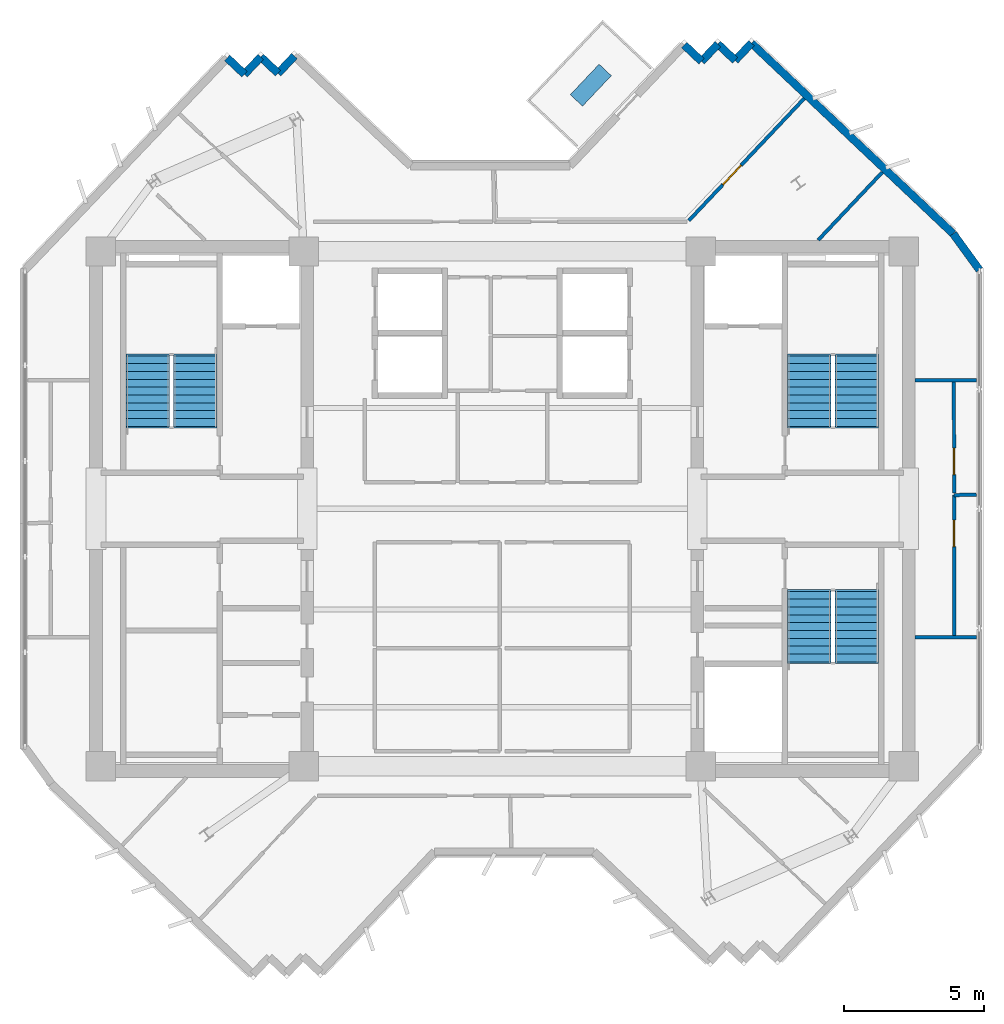
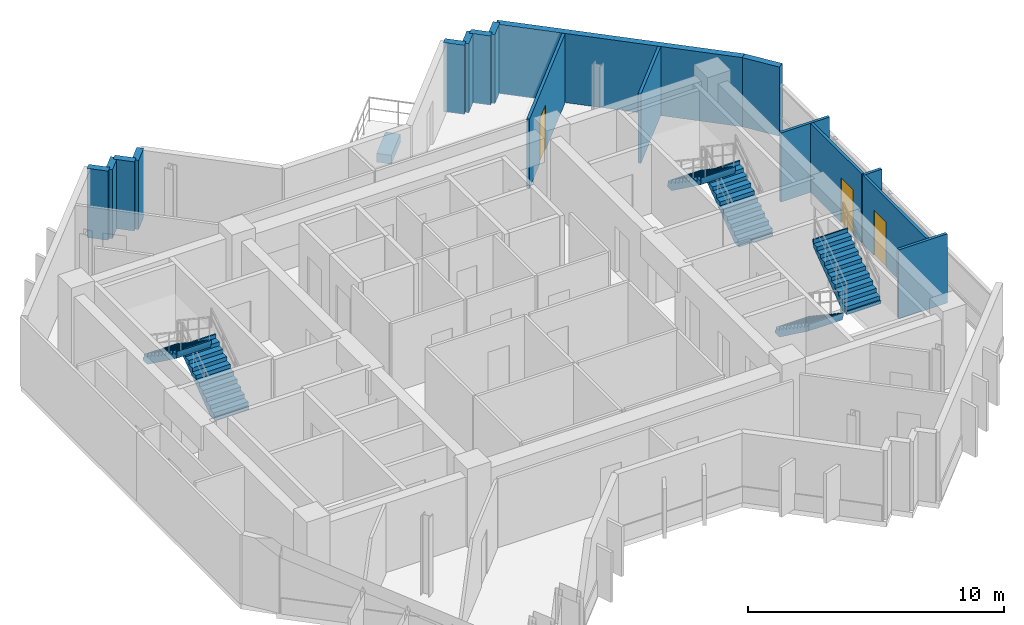
# One storey, part 7 of 9: 17 walls, 6 stair flights, 3 doors, 1 discrete accessory, 3 openings, 3 elements without a shape of their own.
"""IFC4 building model written with IfcOpenShell, lengths in metres."""

from ifc_helpers import new_model, si_unit, direction, frame, frame_2d, origin, origin_2d, place, context, subcontext, project, spatial, polyline, rectangle, outline, extrude, source, transform, mapped, material, layer, layer_set, type_object, element, fill, aggregate, save


model = new_model("IFC4")

# Units and contexts
model_context = context("Model", 3, precision=1e-05, world=origin(), true_north=direction((0.0, 1.0)))
body_context = subcontext(model_context, "Body", "Model", "MODEL_VIEW")
ifc_project = project(units=[si_unit("LENGTHUNIT", "METRE"), si_unit("AREAUNIT", "SQUARE_METRE"), si_unit("VOLUMEUNIT", "CUBIC_METRE"), si_unit("PLANEANGLEUNIT", "RADIAN"), si_unit("MASSUNIT", "GRAM", prefix="KILO")], contexts=[model_context])

# Site, building, storey
site_placement = place(None, origin())
site = spatial("IfcSite", under=ifc_project, at=site_placement, CompositionType="ELEMENT")
building_placement = place(site_placement, origin())
building = spatial("IfcBuilding", under=site, at=building_placement, Name="Zahravan Cultural Tower", CompositionType="ELEMENT")
storey_placement = place(building_placement, frame((0.0, 0.0, 310.35009765625)))
storey = spatial("IfcBuildingStorey", under=building, at=storey_placement, Name="L75", CompositionType="ELEMENT", Elevation=310.35009765625)

# Wall, opening, door
ifc_material_1 = material(Name="Gypsum plasterboard partition")
ifc_layer_1 = layer(ifc_material_1, 0.125)
ifc_layer_set_1 = layer_set([ifc_layer_1], Name="Gypsum plasterboard partition")
wall_type_1 = type_object("IfcWallType", Name="W-PART-125", PredefinedType="PARTITIONING", material=ifc_layer_set_1)
wall_1_placement = place(storey_placement, frame((52.1494140625, 22.470947265625, 0.0), z_axis=(0.0, 0.0, 1.0), x_axis=(9.7318865e-05, 0.999999995265, 0.0)))
wall_1 = element("IfcWall", 1, at=wall_1_placement, inside=storey, type_object=wall_type_1, Name="L75 Interior Wall 075", PredefinedType="PARTITIONING", context=body_context, shape_type="SweptSolid", body=[
    extrude(rectangle(XDim=5.017333984375, YDim=0.125, at=frame_2d((2.5087890625, 0.0))), origin(), (0.0, 0.0, 1.0), 3.2998046875),
])
opening_1_placement = place(wall_1_placement, frame((3.172607421875, 0.0, 0.0)))
opening_1 = element("IfcOpeningElement", 2, at=opening_1_placement, cuts=wall_1, Name="Opening D-L75-30", PredefinedType="OPENING", context=body_context, shape_type="SweptSolid", body=[
    extrude(rectangle(XDim=0.949951171875, YDim=2.14990234375, at=frame_2d((0.47509765625, 1.074951171875))), frame((0.0, 0.072509765625, 0.0), z_axis=(0.0, -1.0, 0.0), x_axis=(1.0, 0.0, 0.0)), (0.0, 0.0, 1.0), 0.14501953125),
])
ifc_material_2 = material(Name="Anodised bronze-aluminium mullion", Category="aluminium")
door_type = type_object("IfcDoorType", Name="DR-ROOM-950", OperationType="NOTDEFINED", PredefinedType="DOOR", material=ifc_material_2)
shared_shape_1 = source(origin(), body_context, "Body", "SweptSolid", [
    extrude(rectangle(XDim=0.949951171875, YDim=2.14990234375, at=frame_2d((0.47509765625, 1.074951171875))), frame((0.0, 0.02490234375, 0.0), z_axis=(0.0, -1.0, 0.0), x_axis=(1.0, 0.0, 0.0)), (0.0, 0.0, 1.0), 0.050048828125),
])
door_1_placement = place(opening_1_placement, origin())
door_1 = element("IfcDoor", 3, at=door_1_placement, inside=storey, type_object=door_type, Name="L75 Door D-L75-30", OperationType="SINGLE_SWING_RIGHT", OverallHeight=2.14990234375, OverallWidth=0.949951171875, PredefinedType="DOOR", context=body_context, shape_type="MappedRepresentation", body=[
    mapped(shared_shape_1, transform((0.0, 0.0, 0.0), x_axis=(1.0, 0.0, 0.0), y_axis=(0.0, 1.0, 0.0), z_axis=(0.0, 0.0, 1.0), scale=1.0)),
])
fill(opening_1, door_1)

wall_2_placement = place(storey_placement, frame((42.67236328125, 37.306396484375, 0.0), z_axis=(0.0, 0.0, 1.0), x_axis=(0.686871949206, 0.726778456886, 0.0)))
wall_2 = element("IfcWall", 4, at=wall_2_placement, inside=storey, type_object=wall_type_1, Name="L75 Interior Wall 082", PredefinedType="PARTITIONING", context=body_context, shape_type="SweptSolid", body=[
    extrude(rectangle(XDim=6.00146484375, YDim=0.125, at=frame_2d((3.000732421875, 0.0))), origin(), (0.0, 0.0, 1.0), 3.2998046875),
])
opening_2_placement = place(wall_2_placement, frame((1.76806640625, 0.0, 0.0)))
opening_2 = element("IfcOpeningElement", 5, at=opening_2_placement, cuts=wall_2, Name="Opening D-L75-32", PredefinedType="OPENING", context=body_context, shape_type="SweptSolid", body=[
    extrude(rectangle(XDim=0.949951171875, YDim=2.14990234375, at=frame_2d((0.47509765625, 1.074951171875))), frame((0.0, 0.072509765625, 0.0), z_axis=(0.0, -1.0, 0.0), x_axis=(1.0, 0.0, 0.0)), (0.0, 0.0, 1.0), 0.14501953125),
])
door_2_placement = place(opening_2_placement, origin())
door_2 = element("IfcDoor", 6, at=door_2_placement, inside=storey, type_object=door_type, Name="L75 Door D-L75-32", OperationType="SINGLE_SWING_RIGHT", OverallHeight=2.14990234375, OverallWidth=0.949951171875, PredefinedType="DOOR", context=body_context, shape_type="MappedRepresentation", body=[
    mapped(shared_shape_1, transform((0.0, 0.0, 0.0), x_axis=(1.0, 0.0, 0.0), y_axis=(0.0, 1.0, 0.0), z_axis=(0.0, 0.0, 1.0), scale=1.0)),
])
fill(opening_2, door_2)

wall_3_placement = place(storey_placement, frame((52.14990234375, 27.555908203125, 0.0), z_axis=(0.0, 0.0, 1.0), x_axis=(-0.000245639885, 0.999999969831, 0.0)))
wall_3 = element("IfcWall", 7, at=wall_3_placement, inside=storey, type_object=wall_type_1, Name="L75 Interior Wall 089", PredefinedType="PARTITIONING", context=body_context, shape_type="SweptSolid", body=[
    extrude(rectangle(XDim=3.9755859375, YDim=0.125, at=frame_2d((1.98779296875, 0.0))), origin(), (0.0, 0.0, 1.0), 3.2998046875),
])
opening_3_placement = place(wall_3_placement, frame((0.665771484375, 0.0, 0.0)))
opening_3 = element("IfcOpeningElement", 8, at=opening_3_placement, cuts=wall_3, Name="Opening D-L75-23", PredefinedType="OPENING", context=body_context, shape_type="SweptSolid", body=[
    extrude(rectangle(XDim=0.949951171875, YDim=2.14990234375, at=frame_2d((0.47509765625, 1.074951171875))), frame((0.0, 0.072509765625, 0.0), z_axis=(0.0, -1.0, 0.0), x_axis=(1.0, 0.0, 0.0)), (0.0, 0.0, 1.0), 0.14501953125),
])
door_3_placement = place(opening_3_placement, origin())
door_3 = element("IfcDoor", 9, at=door_3_placement, inside=storey, type_object=door_type, Name="L75 Door D-L75-23", OperationType="SINGLE_SWING_LEFT", OverallHeight=2.14990234375, OverallWidth=0.949951171875, PredefinedType="DOOR", context=body_context, shape_type="MappedRepresentation", body=[
    mapped(shared_shape_1, transform((0.0, 0.0, 0.0), x_axis=(1.0, 0.0, 0.0), y_axis=(0.0, 1.0, 0.0), z_axis=(0.0, 0.0, 1.0), scale=1.0)),
])
fill(opening_3, door_3)

# Walls
ifc_material_3 = material(Name="Precast concrete C40/50", Category="concrete")
ifc_layer_2 = layer(ifc_material_3, 0.280029296875)
ifc_layer_set_2 = layer_set([ifc_layer_2], Name="Precast concrete C40/50")
wall_type_2 = type_object("IfcWallType", Name="EW-TC-280", PredefinedType="SOLIDWALL", material=ifc_layer_set_2)
shared_shape_2 = source(origin(), body_context, "Body", "SweptSolid", [
    extrude(rectangle(XDim=0.849853515625, YDim=0.280029296875, at=frame_2d((0.4248046875, 0.0))), origin(), (0.0, 0.0, 1.0), 3.2998046875),
])
for number, where, z_axis, x_axis, name in (
    (10, (42.5068359375, 43.580810546875, 0.0), (0.0, 0.0, 1.0), (0.726790047388, -0.686859685101, 0.0), "L75 Exterior Masonry Frame Wall 02"),
    (11, (43.70849609375, 43.61474609375, 0.0), (0.0, 0.0, 1.0), (0.726790047388, -0.686859685101, 0.0), "L75 Exterior Masonry Frame Wall 04"),
    (12, (26.1650390625, 43.11962890625, 0.0), (0.0, 0.0, 1.0), (0.726790047388, -0.686859685101, 0.0), "L75 Exterior Masonry Frame Wall 23"),
    (13, (27.36669921875, 43.153564453125, 0.0), (0.0, 0.0, 1.0), (0.726790047388, -0.686859685101, 0.0), "L75 Exterior Masonry Frame Wall 25"),
):
    element("IfcWall", number, at=place(storey_placement, frame(where, z_axis=z_axis, x_axis=x_axis)), inside=storey, type_object=wall_type_2, Name=name, PredefinedType="SOLIDWALL", context=body_context, shape_type="MappedRepresentation", body=[
        mapped(shared_shape_2, transform((0.0, 0.0, 0.0), x_axis=(1.0, 0.0, 0.0), y_axis=(0.0, 1.0, 0.0), z_axis=(0.0, 0.0, 1.0), scale=1.0)),
    ])
shared_shape_3 = source(origin(), body_context, "Body", "SweptSolid", [
    extrude(rectangle(XDim=0.85009765625, YDim=0.280029296875, at=frame_2d((0.425048828125, 0.0))), origin(), (0.0, 0.0, 1.0), 3.2998046875),
])
for number, where, z_axis, x_axis, name in (
    (14, (43.12451171875, 42.9970703125, 0.0), (0.0, 0.0, 1.0), (0.687011382404, 0.726646654466, 0.0), "L75 Exterior Masonry Frame Wall 03"),
    (15, (44.326171875, 43.031005859375, 0.0), (0.0, 0.0, 1.0), (0.687011382404, 0.726646654466, 0.0), "L75 Exterior Masonry Frame Wall 05"),
    (16, (26.78271484375, 42.535888671875, 0.0), (0.0, 0.0, 1.0), (0.687011382404, 0.726646654466, 0.0), "L75 Exterior Masonry Frame Wall 24"),
    (17, (27.984375, 42.56982421875, 0.0), (0.0, 0.0, 1.0), (0.687011382404, 0.726646654466, 0.0), "L75 Exterior Masonry Frame Wall 26"),
):
    element("IfcWall", number, at=place(storey_placement, frame(where, z_axis=z_axis, x_axis=x_axis)), inside=storey, type_object=wall_type_2, Name=name, PredefinedType="SOLIDWALL", context=body_context, shape_type="MappedRepresentation", body=[
        mapped(shared_shape_3, transform((0.0, 0.0, 0.0), x_axis=(1.0, 0.0, 0.0), y_axis=(0.0, 1.0, 0.0), z_axis=(0.0, 0.0, 1.0), scale=1.0)),
    ])
shared_shape_4 = source(origin(), body_context, "Body", "SweptSolid", [
    extrude(rectangle(XDim=9.919921875, YDim=0.280029296875, at=frame_2d((4.9599609375, 0.0))), origin(), (0.0, 0.0, 1.0), 3.2998046875),
])
wall_4_placement = place(storey_placement, frame((44.91015625, 43.648681640625, 0.0), z_axis=(0.0, 0.0, 1.0), x_axis=(0.726772856404, -0.686877875022, 0.0)))
element("IfcWall", 18, at=wall_4_placement, inside=storey, type_object=wall_type_2, Name="L75 Exterior Masonry Frame Wall 06", PredefinedType="SOLIDWALL", context=body_context, shape_type="MappedRepresentation", body=[
    mapped(shared_shape_4, transform((0.0, 0.0, 0.0), x_axis=(1.0, 0.0, 0.0), y_axis=(0.0, 1.0, 0.0), z_axis=(0.0, 0.0, 1.0), scale=1.0)),
])
shared_shape_5 = source(origin(), body_context, "Body", "SweptSolid", [
    extrude(rectangle(XDim=1.598876953125, YDim=0.280029296875, at=frame_2d((0.79931640625, 0.0))), origin(), (0.0, 0.0, 1.0), 3.2998046875),
])
wall_5_placement = place(storey_placement, frame((52.11962890625, 36.8349609375, 0.0), z_axis=(0.0, 0.0, 1.0), x_axis=(0.58820801539, -0.808709670173, 0.0)))
element("IfcWall", 19, at=wall_5_placement, inside=storey, type_object=wall_type_2, Name="L75 Exterior Masonry Frame Wall 07", PredefinedType="SOLIDWALL", context=body_context, shape_type="MappedRepresentation", body=[
    mapped(shared_shape_5, transform((0.0, 0.0, 0.0), x_axis=(1.0, 0.0, 0.0), y_axis=(0.0, 1.0, 0.0), z_axis=(0.0, 0.0, 1.0), scale=1.0)),
])
shared_shape_6 = source(origin(), body_context, "Body", "SweptSolid", [
    extrude(rectangle(XDim=2.195068359375, YDim=0.125, at=frame_2d((1.09765625, 0.0))), origin(), (0.0, 0.0, 1.0), 3.2998046875),
])
for number, where, z_axis, x_axis, name in (
    (20, (50.7548828125, 22.400146484375, 0.0), (0.0, 0.0, 1.0), (0.999997006375, 0.002446884011, 0.0), "L75 Interior Wall 074"),
    (21, (52.949951171875, 31.598388671875, 0.0), (0.0, 0.0, 1.0), (-0.999999696925, 0.000778556098, 0.0), "L75 Interior Wall 088"),
):
    element("IfcWall", number, at=place(storey_placement, frame(where, z_axis=z_axis, x_axis=x_axis)), inside=storey, type_object=wall_type_1, Name=name, PredefinedType="PARTITIONING", context=body_context, shape_type="MappedRepresentation", body=[
        mapped(shared_shape_6, transform((0.0, 0.0, 0.0), x_axis=(1.0, 0.0, 0.0), y_axis=(0.0, 1.0, 0.0), z_axis=(0.0, 0.0, 1.0), scale=1.0)),
    ])
shared_shape_7 = source(origin(), body_context, "Body", "SweptSolid", [
    extrude(rectangle(XDim=0.79541015625, YDim=0.125, at=frame_2d((0.397705078125, 0.0))), origin(), (0.0, 0.0, 1.0), 3.2998046875),
])
wall_6_placement = place(storey_placement, frame((52.14990234375, 27.48828125, 0.0), z_axis=(0.0, 0.0, 1.0), x_axis=(0.999727865024, 0.023328006675, 0.0)))
element("IfcWall", 22, at=wall_6_placement, inside=storey, type_object=wall_type_1, Name="L75 Interior Wall 076", PredefinedType="PARTITIONING", context=body_context, shape_type="MappedRepresentation", body=[
    mapped(shared_shape_7, transform((0.0, 0.0, 0.0), x_axis=(1.0, 0.0, 0.0), y_axis=(0.0, 1.0, 0.0), z_axis=(0.0, 0.0, 1.0), scale=1.0)),
])
shared_shape_8 = source(origin(), body_context, "Body", "SweptSolid", [
    extrude(rectangle(XDim=3.33740234375, YDim=0.125, at=frame_2d((1.668701171875, 0.0))), origin(), (0.0, 0.0, 1.0), 3.2998046875),
])
wall_7_placement = place(storey_placement, frame((49.58544921875, 39.030517578125, 0.0), z_axis=(0.0, 0.0, 1.0), x_axis=(-0.686891986515, -0.726759519278, 0.0)))
element("IfcWall", 23, at=wall_7_placement, inside=storey, type_object=wall_type_1, Name="L75 Interior Wall 081", PredefinedType="PARTITIONING", context=body_context, shape_type="MappedRepresentation", body=[
    mapped(shared_shape_8, transform((0.0, 0.0, 0.0), x_axis=(1.0, 0.0, 0.0), y_axis=(0.0, 1.0, 0.0), z_axis=(0.0, 0.0, 1.0), scale=1.0)),
])

# Stair, stair flights
ifc_material_4 = material(Name="Concrete C45/55", Category="concrete")
stair_type = type_object("IfcStairType", Name="STR-DL-1550-375", PredefinedType="HALF_TURN_STAIR", material=ifc_material_4)
stair_1_placement = place(storey_placement, origin())
stair_1 = element("IfcStair", 24, at=stair_1_placement, inside=storey, type_object=stair_type, Name="L75 West Core North Exit Stair ST-W1", PredefinedType="HALF_TURN_STAIR")
stair_flight_type = type_object("IfcStairFlightType", Name="FLG-DL-1550-375", PredefinedType="STRAIGHT", material=ifc_material_4)
stair_flight_1_placement = place(storey_placement, frame((25.02490234375, 29.949951171875, 0.0), z_axis=(0.0, 0.0, 1.0), x_axis=(0.0, 1.0, 0.0)))
stair_flight_1 = element("IfcStairFlight", 25, at=stair_flight_1_placement, type_object=stair_flight_type, Name="ST-W1 flight 1", NumberOfRisers=10, NumberOfTreads=9, PredefinedType="STRAIGHT", RiserHeight=0.1875, TreadLength=0.28, context=body_context, shape_type="SweptSolid", body=[
    extrude(outline(polyline([(-0.06494140625, -0.139892578125), (-0.06494140625, 0.0), (0.0, 0.0), (0.0, 0.1875), (0.280029296875, 0.1875), (0.280029296875, 0.375), (0.56005859375, 0.375), (0.56005859375, 0.5625), (0.840087890625, 0.5625), (0.840087890625, 0.75), (1.1201171875, 0.75), (1.1201171875, 0.9375), (1.39990234375, 0.9375), (1.39990234375, 1.125), (1.679931640625, 1.125), (1.679931640625, 1.3125), (1.9599609375, 1.3125), (1.9599609375, 1.5), (2.239990234375, 1.5), (2.239990234375, 1.6875), (2.52001953125, 1.6875), (2.52001953125, 1.875), (2.5849609375, 1.875), (2.5849609375, 1.72509765625), (2.52001953125, 1.507080078125), (0.26953125, -0.139892578125), (-0.06494140625, -0.139892578125)])), frame((0.0, 0.77490234375, 0.0), z_axis=(0.0, -1.0, 0.0), x_axis=(1.0, 0.0, 0.0)), (0.0, 0.0, 1.0), 1.550048828125),
])
stair_flight_2_placement = place(storey_placement, frame((23.324951171875, 32.469970703125, 1.875), z_axis=(0.0, 0.0, 1.0), x_axis=(0.0, -1.0, 0.0)))
stair_flight_2 = element("IfcStairFlight", 26, at=stair_flight_2_placement, type_object=stair_flight_type, Name="ST-W1 flight 2", NumberOfRisers=10, NumberOfTreads=9, PredefinedType="STRAIGHT", RiserHeight=0.1875, TreadLength=0.28, context=body_context, shape_type="SweptSolid", body=[
    extrude(outline(polyline([(-0.06494140625, -0.139892578125), (-0.06494140625, 0.0), (0.0, 0.0), (0.0, 0.1875), (0.280029296875, 0.1875), (0.280029296875, 0.375), (0.56005859375, 0.375), (0.56005859375, 0.5625), (0.840087890625, 0.5625), (0.840087890625, 0.75), (1.1201171875, 0.75), (1.1201171875, 0.9375), (1.39990234375, 0.9375), (1.39990234375, 1.125), (1.679931640625, 1.125), (1.679931640625, 1.3125), (1.9599609375, 1.3125), (1.9599609375, 1.5), (2.239990234375, 1.5), (2.239990234375, 1.6875), (2.52001953125, 1.6875), (2.52001953125, 1.875), (2.5849609375, 1.875), (2.5849609375, 1.72509765625), (2.52001953125, 1.507080078125), (0.26953125, -0.139892578125), (-0.06494140625, -0.139892578125)])), frame((0.0, 0.77490234375, 0.0), z_axis=(0.0, -1.0, 0.0), x_axis=(1.0, 0.0, 0.0)), (0.0, 0.0, 1.0), 1.550048828125),
])
aggregate(stair_1, [stair_flight_1, stair_flight_2])

stair_2_placement = place(storey_placement, origin())
stair_2 = element("IfcStair", 27, at=stair_2_placement, inside=storey, type_object=stair_type, Name="L75 East Core North Exit Stair ST-E1", PredefinedType="HALF_TURN_STAIR")
stair_flight_3_placement = place(storey_placement, frame((48.675048828125, 29.949951171875, 0.0), z_axis=(0.0, 0.0, 1.0), x_axis=(0.0, 1.0, 0.0)))
stair_flight_3 = element("IfcStairFlight", 28, at=stair_flight_3_placement, type_object=stair_flight_type, Name="ST-E1 flight 1", NumberOfRisers=10, NumberOfTreads=9, PredefinedType="STRAIGHT", RiserHeight=0.1875, TreadLength=0.28, context=body_context, shape_type="SweptSolid", body=[
    extrude(outline(polyline([(-0.06494140625, -0.139892578125), (-0.06494140625, 0.0), (0.0, 0.0), (0.0, 0.1875), (0.280029296875, 0.1875), (0.280029296875, 0.375), (0.56005859375, 0.375), (0.56005859375, 0.5625), (0.840087890625, 0.5625), (0.840087890625, 0.75), (1.1201171875, 0.75), (1.1201171875, 0.9375), (1.39990234375, 0.9375), (1.39990234375, 1.125), (1.679931640625, 1.125), (1.679931640625, 1.3125), (1.9599609375, 1.3125), (1.9599609375, 1.5), (2.239990234375, 1.5), (2.239990234375, 1.6875), (2.52001953125, 1.6875), (2.52001953125, 1.875), (2.5849609375, 1.875), (2.5849609375, 1.72509765625), (2.52001953125, 1.507080078125), (0.26953125, -0.139892578125), (-0.06494140625, -0.139892578125)])), frame((0.0, 0.77490234375, 0.0), z_axis=(0.0, -1.0, 0.0), x_axis=(1.0, 0.0, 0.0)), (0.0, 0.0, 1.0), 1.550048828125),
])
stair_flight_4_placement = place(storey_placement, frame((46.97509765625, 32.469970703125, 1.875), z_axis=(0.0, 0.0, 1.0), x_axis=(0.0, -1.0, 0.0)))
stair_flight_4 = element("IfcStairFlight", 29, at=stair_flight_4_placement, type_object=stair_flight_type, Name="ST-E1 flight 2", NumberOfRisers=10, NumberOfTreads=9, PredefinedType="STRAIGHT", RiserHeight=0.1875, TreadLength=0.28, context=body_context, shape_type="SweptSolid", body=[
    extrude(outline(polyline([(-0.06494140625, -0.139892578125), (-0.06494140625, 0.0), (0.0, 0.0), (0.0, 0.1875), (0.280029296875, 0.1875), (0.280029296875, 0.375), (0.56005859375, 0.375), (0.56005859375, 0.5625), (0.840087890625, 0.5625), (0.840087890625, 0.75), (1.1201171875, 0.75), (1.1201171875, 0.9375), (1.39990234375, 0.9375), (1.39990234375, 1.125), (1.679931640625, 1.125), (1.679931640625, 1.3125), (1.9599609375, 1.3125), (1.9599609375, 1.5), (2.239990234375, 1.5), (2.239990234375, 1.6875), (2.52001953125, 1.6875), (2.52001953125, 1.875), (2.5849609375, 1.875), (2.5849609375, 1.72509765625), (2.52001953125, 1.507080078125), (0.26953125, -0.139892578125), (-0.06494140625, -0.139892578125)])), frame((0.0, 0.77490234375, 0.0), z_axis=(0.0, -1.0, 0.0), x_axis=(1.0, 0.0, 0.0)), (0.0, 0.0, 1.0), 1.550048828125),
])
aggregate(stair_2, [stair_flight_3, stair_flight_4])

stair_3_placement = place(storey_placement, origin())
stair_3 = element("IfcStair", 30, at=stair_3_placement, inside=storey, type_object=stair_type, Name="L75 East Core South Exit Stair ST-E2", PredefinedType="HALF_TURN_STAIR")
stair_flight_5_placement = place(storey_placement, frame((46.97509765625, 24.050048828125, 0.0), z_axis=(0.0, 0.0, 1.0), x_axis=(0.0, -1.0, 0.0)))
stair_flight_5 = element("IfcStairFlight", 31, at=stair_flight_5_placement, type_object=stair_flight_type, Name="ST-E2 flight 1", NumberOfRisers=10, NumberOfTreads=9, PredefinedType="STRAIGHT", RiserHeight=0.1875, TreadLength=0.28, context=body_context, shape_type="SweptSolid", body=[
    extrude(outline(polyline([(-0.06494140625, -0.139892578125), (-0.06494140625, 0.0), (0.0, 0.0), (0.0, 0.1875), (0.280029296875, 0.1875), (0.280029296875, 0.375), (0.56005859375, 0.375), (0.56005859375, 0.5625), (0.840087890625, 0.5625), (0.840087890625, 0.75), (1.1201171875, 0.75), (1.1201171875, 0.9375), (1.39990234375, 0.9375), (1.39990234375, 1.125), (1.679931640625, 1.125), (1.679931640625, 1.3125), (1.9599609375, 1.3125), (1.9599609375, 1.5), (2.239990234375, 1.5), (2.239990234375, 1.6875), (2.52001953125, 1.6875), (2.52001953125, 1.875), (2.5849609375, 1.875), (2.5849609375, 1.72509765625), (2.52001953125, 1.507080078125), (0.26953125, -0.139892578125), (-0.06494140625, -0.139892578125)])), frame((0.0, 0.77490234375, 0.0), z_axis=(0.0, -1.0, 0.0), x_axis=(1.0, 0.0, 0.0)), (0.0, 0.0, 1.0), 1.550048828125),
])
stair_flight_6_placement = place(storey_placement, frame((48.675048828125, 21.530029296875, 1.875), z_axis=(0.0, 0.0, 1.0), x_axis=(0.0, 1.0, 0.0)))
stair_flight_6 = element("IfcStairFlight", 32, at=stair_flight_6_placement, type_object=stair_flight_type, Name="ST-E2 flight 2", NumberOfRisers=10, NumberOfTreads=9, PredefinedType="STRAIGHT", RiserHeight=0.1875, TreadLength=0.28, context=body_context, shape_type="SweptSolid", body=[
    extrude(outline(polyline([(-0.06494140625, -0.139892578125), (-0.06494140625, 0.0), (0.0, 0.0), (0.0, 0.1875), (0.280029296875, 0.1875), (0.280029296875, 0.375), (0.56005859375, 0.375), (0.56005859375, 0.5625), (0.840087890625, 0.5625), (0.840087890625, 0.75), (1.1201171875, 0.75), (1.1201171875, 0.9375), (1.39990234375, 0.9375), (1.39990234375, 1.125), (1.679931640625, 1.125), (1.679931640625, 1.3125), (1.9599609375, 1.3125), (1.9599609375, 1.5), (2.239990234375, 1.5), (2.239990234375, 1.6875), (2.52001953125, 1.6875), (2.52001953125, 1.875), (2.5849609375, 1.875), (2.5849609375, 1.72509765625), (2.52001953125, 1.507080078125), (0.26953125, -0.139892578125), (-0.06494140625, -0.139892578125)])), frame((0.0, 0.77490234375, 0.0), z_axis=(0.0, -1.0, 0.0), x_axis=(1.0, 0.0, 0.0)), (0.0, 0.0, 1.0), 1.550048828125),
])
aggregate(stair_3, [stair_flight_5, stair_flight_6])

# Discrete accessory
ifc_material_5 = material(Name="Planted soil and terracotta planter", Category="masonry")
discrete_accessory_type = type_object("IfcDiscreteAccessoryType", Name="ACC-PLANTER-TC", PredefinedType="USERDEFINED", material=ifc_material_5)
shared_shape_9 = source(origin(), body_context, "Body", "SweptSolid", [
    extrude(rectangle(XDim=1.5, YDim=0.60009765625, at=origin_2d()), origin(), (0.0, 0.0, 1.0), 0.419921875),
])
discrete_accessory_placement = place(storey_placement, frame((39.164306640625, 42.144287109375, 0.0), z_axis=(0.0, 0.0, 1.0), x_axis=(0.686875706913, 0.726774905492, 0.0)))
element("IfcDiscreteAccessory", 33, at=discrete_accessory_placement, inside=storey, type_object=discrete_accessory_type, Name="L75 Terracotta Sculpture Planter NE", ObjectType="PLANTER", PredefinedType="USERDEFINED", context=body_context, shape_type="MappedRepresentation", body=[
    mapped(shared_shape_9, transform((0.0, 0.0, 0.0), x_axis=(1.0, 0.0, 0.0), y_axis=(0.0, 1.0, 0.0), z_axis=(0.0, 0.0, 1.0), scale=1.0)),
])

save(model, "model.ifc")
